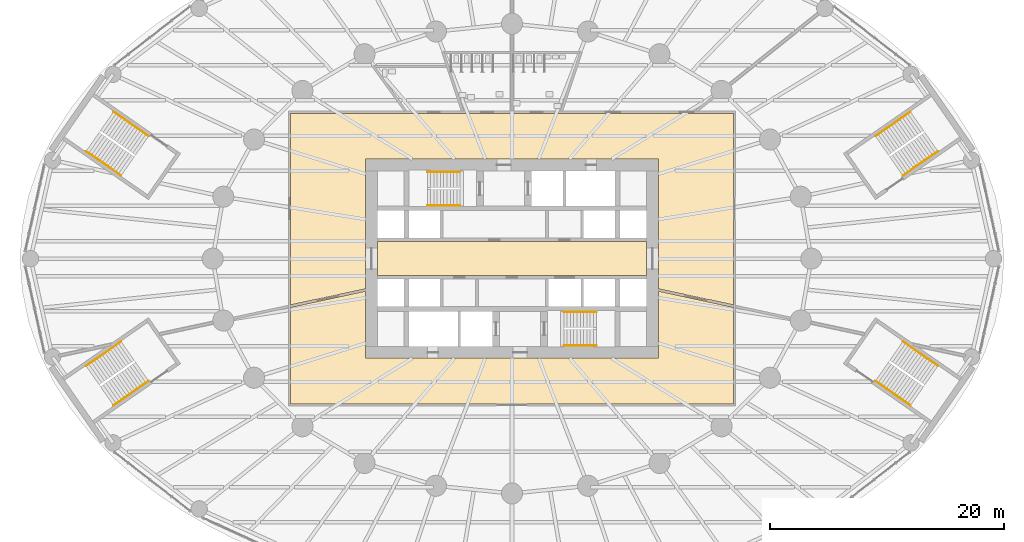
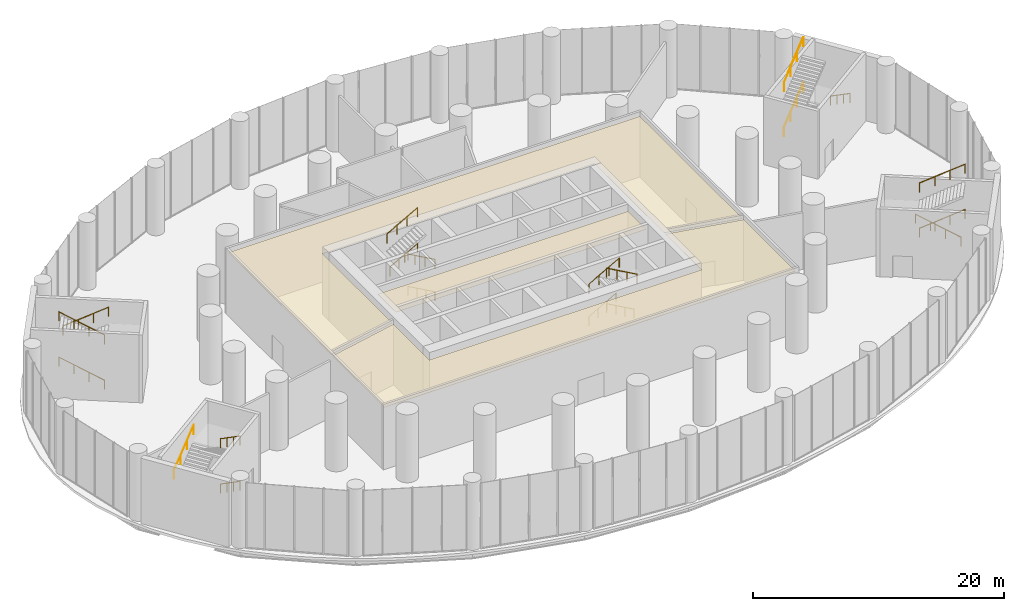
# One storey, part 20 of 22: 20 railings, 3 coverings.
"""IFC4 building model written with IfcOpenShell, lengths in metres."""

from ifc_helpers import new_model, si_unit, direction, frame, origin, origin_2d, place, context, subcontext, project, spatial, polyline, circle, outline, extrude, material, layer, layer_set, type_object, element, save


model = new_model("IFC4")

# Units and contexts
model_context = context("Model", 3, precision=1e-05, world=origin(), true_north=direction((0.0, 1.0)))
body_context = subcontext(model_context, "Body", "Model", "MODEL_VIEW")
ifc_project = project(units=[si_unit("LENGTHUNIT", "METRE"), si_unit("AREAUNIT", "SQUARE_METRE"), si_unit("VOLUMEUNIT", "CUBIC_METRE"), si_unit("PLANEANGLEUNIT", "RADIAN"), si_unit("MASSUNIT", "GRAM", prefix="KILO")], contexts=[model_context])

# Site, building, storey
site_placement = place(None, origin())
site = spatial("IfcSite", under=ifc_project, at=site_placement, CompositionType="ELEMENT")
building_placement = place(site_placement, origin())
building = spatial("IfcBuilding", under=site, at=building_placement, Name="Hankou Lantern Tower", CompositionType="ELEMENT")
storey_placement = place(building_placement, frame((0.0, 0.0, 7.199951171875)))
storey = spatial("IfcBuildingStorey", under=building, at=storey_placement, Name="L01", CompositionType="ELEMENT", Elevation=7.199951171875)

# Coverings
ifc_material_1 = material(Name="Black painted aluminium linear ceiling panels", Category="aluminium")
ifc_layer_1 = layer(ifc_material_1, 0.02490234375)
ifc_layer_set_1 = layer_set([ifc_layer_1], Name="Black painted aluminium linear ceiling panels")
covering_type_1 = type_object("IfcCoveringType", Name="CL1 CORRIDOR CEILING 25", PredefinedType="CEILING", material=ifc_layer_set_1)
covering_1_placement = place(storey_placement, frame((0.0, 0.0, 5.875)))
element("IfcCovering", 1, at=covering_1_placement, inside=storey, type_object=covering_type_1, Name="Corridor ceiling L01", PredefinedType="CEILING", context=body_context, shape_type="SweptSolid", body=[
    extrude(outline(polyline([(-18.89990234375, 12.39990234375), (-18.89990234375, -3.94921875), (-12.5, -2.5771484375), (-12.5, 8.5), (12.5, 8.5), (12.5, -2.5771484375), (18.89990234375, -3.94921875), (18.89990234375, 12.39990234375), (-18.89990234375, 12.39990234375)])), origin(), (0.0, 0.0, 1.0), 0.025146484375),
])
covering_2_placement = place(storey_placement, frame((0.0, 0.0, 5.875)))
element("IfcCovering", 2, at=covering_2_placement, inside=storey, type_object=covering_type_1, Name="Corridor ceiling L01", PredefinedType="CEILING", context=body_context, shape_type="SweptSolid", body=[
    extrude(outline(polyline([(18.89990234375, -4.153564453125), (12.5, -2.78173828125), (12.5, -8.5), (-12.5, -8.5), (-12.5, -2.78173828125), (-18.89990234375, -4.153564453125), (-18.89990234375, -12.39990234375), (18.89990234375, -12.39990234375), (18.89990234375, -4.153564453125)])), origin(), (0.0, 0.0, 1.0), 0.025146484375),
])
ifc_material_2 = material(Name="Perforated black aluminium acoustic tray ceiling", Category="aluminium")
ifc_layer_2 = layer(ifc_material_2, 0.014892578125)
ifc_layer_set_2 = layer_set([ifc_layer_2], Name="Perforated black aluminium acoustic tray ceiling")
covering_type_2 = type_object("IfcCoveringType", Name="CL2 LIFT LOBBY CEILING 15", PredefinedType="CEILING", material=ifc_layer_set_2)
covering_3_placement = place(storey_placement, frame((0.0, 0.0, 5.885009765625)))
element("IfcCovering", 3, at=covering_3_placement, inside=storey, type_object=covering_type_2, Name="Lift lobby ceiling L01", PredefinedType="CEILING", context=body_context, shape_type="SweptSolid", body=[
    extrude(outline(polyline([(-11.5, -1.449951171875), (11.5, -1.449951171875), (11.5, 1.449951171875), (-11.5, 1.449951171875), (-11.5, -1.449951171875)])), origin(), (0.0, 0.0, 1.0), 0.01513671875),
])

# Railings
ifc_material_3 = material(Name="Steel handrail", Category="steel")
railing_type = type_object("IfcRailingType", Name="HR1 STAIR HANDRAIL", PredefinedType="HANDRAIL", material=ifc_material_3)
railing_1_placement = place(storey_placement, frame((-4.429931640625, 4.550048828125, 0.900146484375)))
element("IfcRailing", 4, at=railing_1_placement, inside=storey, type_object=railing_type, Name="Handrail stair STA L01 flight 1", PredefinedType="HANDRAIL", context=body_context, shape_type="SweptSolid", body=[
    extrude(circle(Radius=0.02392578125, at=origin_2d()), frame((0.0, 0.0, 0.8759765625), z_axis=(-0.872048945198, 0.0, 0.489418672692), x_axis=(0.0, -1.0, 0.0)), (0.0, 0.0, 1.0), 2.8896484375),
    extrude(circle(Radius=0.02099609375, at=origin_2d()), origin(), (0.0, 0.0, 1.0), 0.851806640625),
    extrude(circle(Radius=0.02099609375, at=origin_2d()), frame((-0.840087890625, 0.0, 0.471435546875)), (0.0, 0.0, 1.0), 0.851806640625),
    extrude(circle(Radius=0.02099609375, at=origin_2d()), frame((-1.679931640625, 0.0, 0.94287109375)), (0.0, 0.0, 1.0), 0.851806640625),
    extrude(circle(Radius=0.02099609375, at=origin_2d()), frame((-2.52001953125, 0.0, 1.414306640625)), (0.0, 0.0, 1.0), 0.851806640625),
])
railing_2_placement = place(storey_placement, frame((-6.949951171875, 7.39990234375, 2.471435546875)))
element("IfcRailing", 5, at=railing_2_placement, inside=storey, type_object=railing_type, Name="Handrail stair STA L01 flight 2", PredefinedType="HANDRAIL", context=body_context, shape_type="SweptSolid", body=[
    extrude(circle(Radius=0.02392578125, at=origin_2d()), frame((0.0, 0.0, 0.8759765625), z_axis=(0.872048945198, 0.0, 0.489418672692), x_axis=(0.0, 1.0, 0.0)), (0.0, 0.0, 1.0), 2.8896484375),
    extrude(circle(Radius=0.02099609375, at=origin_2d()), origin(), (0.0, 0.0, 1.0), 0.851806640625),
    extrude(circle(Radius=0.02099609375, at=origin_2d()), frame((0.840087890625, 0.0, 0.471435546875)), (0.0, 0.0, 1.0), 0.851806640625),
    extrude(circle(Radius=0.02099609375, at=origin_2d()), frame((1.679931640625, 0.0, 0.94287109375)), (0.0, 0.0, 1.0), 0.851806640625),
    extrude(circle(Radius=0.02099609375, at=origin_2d()), frame((2.52001953125, 0.0, 1.414306640625)), (0.0, 0.0, 1.0), 0.851806640625),
])
railing_3_placement = place(storey_placement, frame((-4.429931640625, 4.550048828125, 4.04296875)))
element("IfcRailing", 6, at=railing_3_placement, inside=storey, type_object=railing_type, Name="Handrail stair STA L01 flight 3", PredefinedType="HANDRAIL", context=body_context, shape_type="SweptSolid", body=[
    extrude(circle(Radius=0.02392578125, at=origin_2d()), frame((0.0, 0.0, 0.8759765625), z_axis=(-0.872072602893, 0.0, 0.489376516891), x_axis=(0.0, -1.0, 0.0)), (0.0, 0.0, 1.0), 3.210693359375),
    extrude(circle(Radius=0.02099609375, at=origin_2d()), origin(), (0.0, 0.0, 1.0), 0.851806640625),
    extrude(circle(Radius=0.02099609375, at=origin_2d()), frame((-0.933349609375, 0.0, 0.523681640625)), (0.0, 0.0, 1.0), 0.851806640625),
    extrude(circle(Radius=0.02099609375, at=origin_2d()), frame((-1.86669921875, 0.0, 1.047607421875)), (0.0, 0.0, 1.0), 0.851806640625),
    extrude(circle(Radius=0.02099609375, at=origin_2d()), frame((-2.800048828125, 0.0, 1.5712890625)), (0.0, 0.0, 1.0), 0.851806640625),
])
railing_4_placement = place(storey_placement, frame((-7.22998046875, 7.39990234375, 5.771484375)))
element("IfcRailing", 7, at=railing_4_placement, inside=storey, type_object=railing_type, Name="Handrail stair STA L01 flight 4", PredefinedType="HANDRAIL", context=body_context, shape_type="SweptSolid", body=[
    extrude(circle(Radius=0.02392578125, at=origin_2d()), frame((0.0, 0.0, 0.8759765625), z_axis=(0.872040151574, 0.0, 0.489434340891), x_axis=(0.0, 1.0, 0.0)), (0.0, 0.0, 1.0), 3.2109375),
    extrude(circle(Radius=0.02099609375, at=origin_2d()), origin(), (0.0, 0.0, 1.0), 0.851806640625),
    extrude(circle(Radius=0.02099609375, at=origin_2d()), frame((0.933349609375, 0.0, 0.52392578125)), (0.0, 0.0, 1.0), 0.851806640625),
    extrude(circle(Radius=0.02099609375, at=origin_2d()), frame((1.86669921875, 0.0, 1.047607421875)), (0.0, 0.0, 1.0), 0.851806640625),
    extrude(circle(Radius=0.02099609375, at=origin_2d()), frame((2.800048828125, 0.0, 1.571533203125)), (0.0, 0.0, 1.0), 0.851806640625),
])
railing_5_placement = place(storey_placement, frame((4.429931640625, -4.550048828125, 0.900146484375)))
element("IfcRailing", 8, at=railing_5_placement, inside=storey, type_object=railing_type, Name="Handrail stair STB L01 flight 1", PredefinedType="HANDRAIL", context=body_context, shape_type="SweptSolid", body=[
    extrude(circle(Radius=0.02392578125, at=origin_2d()), frame((0.0, 0.0, 0.8759765625), z_axis=(0.872048945198, 0.0, 0.489418672692), x_axis=(0.0, 1.0, 0.0)), (0.0, 0.0, 1.0), 2.8896484375),
    extrude(circle(Radius=0.02099609375, at=origin_2d()), origin(), (0.0, 0.0, 1.0), 0.851806640625),
    extrude(circle(Radius=0.02099609375, at=origin_2d()), frame((0.840087890625, 0.0, 0.471435546875)), (0.0, 0.0, 1.0), 0.851806640625),
    extrude(circle(Radius=0.02099609375, at=origin_2d()), frame((1.679931640625, 0.0, 0.94287109375)), (0.0, 0.0, 1.0), 0.851806640625),
    extrude(circle(Radius=0.02099609375, at=origin_2d()), frame((2.52001953125, 0.0, 1.414306640625)), (0.0, 0.0, 1.0), 0.851806640625),
])
railing_6_placement = place(storey_placement, frame((6.949951171875, -7.39990234375, 2.471435546875)))
element("IfcRailing", 9, at=railing_6_placement, inside=storey, type_object=railing_type, Name="Handrail stair STB L01 flight 2", PredefinedType="HANDRAIL", context=body_context, shape_type="SweptSolid", body=[
    extrude(circle(Radius=0.02392578125, at=origin_2d()), frame((0.0, 0.0, 0.8759765625), z_axis=(-0.872048945198, 0.0, 0.489418672692), x_axis=(0.0, -1.0, 0.0)), (0.0, 0.0, 1.0), 2.8896484375),
    extrude(circle(Radius=0.02099609375, at=origin_2d()), origin(), (0.0, 0.0, 1.0), 0.851806640625),
    extrude(circle(Radius=0.02099609375, at=origin_2d()), frame((-0.840087890625, 0.0, 0.471435546875)), (0.0, 0.0, 1.0), 0.851806640625),
    extrude(circle(Radius=0.02099609375, at=origin_2d()), frame((-1.679931640625, 0.0, 0.94287109375)), (0.0, 0.0, 1.0), 0.851806640625),
    extrude(circle(Radius=0.02099609375, at=origin_2d()), frame((-2.52001953125, 0.0, 1.414306640625)), (0.0, 0.0, 1.0), 0.851806640625),
])
railing_7_placement = place(storey_placement, frame((4.429931640625, -4.550048828125, 4.04296875)))
element("IfcRailing", 10, at=railing_7_placement, inside=storey, type_object=railing_type, Name="Handrail stair STB L01 flight 3", PredefinedType="HANDRAIL", context=body_context, shape_type="SweptSolid", body=[
    extrude(circle(Radius=0.02392578125, at=origin_2d()), frame((0.0, 0.0, 0.8759765625), z_axis=(0.872072602893, 0.0, 0.489376516891), x_axis=(0.0, 1.0, 0.0)), (0.0, 0.0, 1.0), 3.210693359375),
    extrude(circle(Radius=0.02099609375, at=origin_2d()), origin(), (0.0, 0.0, 1.0), 0.851806640625),
    extrude(circle(Radius=0.02099609375, at=origin_2d()), frame((0.933349609375, 0.0, 0.523681640625)), (0.0, 0.0, 1.0), 0.851806640625),
    extrude(circle(Radius=0.02099609375, at=origin_2d()), frame((1.86669921875, 0.0, 1.047607421875)), (0.0, 0.0, 1.0), 0.851806640625),
    extrude(circle(Radius=0.02099609375, at=origin_2d()), frame((2.800048828125, 0.0, 1.5712890625)), (0.0, 0.0, 1.0), 0.851806640625),
])
railing_8_placement = place(storey_placement, frame((7.22998046875, -7.39990234375, 5.771484375)))
element("IfcRailing", 11, at=railing_8_placement, inside=storey, type_object=railing_type, Name="Handrail stair STB L01 flight 4", PredefinedType="HANDRAIL", context=body_context, shape_type="SweptSolid", body=[
    extrude(circle(Radius=0.02392578125, at=origin_2d()), frame((0.0, 0.0, 0.8759765625), z_axis=(-0.872040151574, 0.0, 0.489434340891), x_axis=(0.0, -1.0, 0.0)), (0.0, 0.0, 1.0), 3.2109375),
    extrude(circle(Radius=0.02099609375, at=origin_2d()), origin(), (0.0, 0.0, 1.0), 0.851806640625),
    extrude(circle(Radius=0.02099609375, at=origin_2d()), frame((-0.933349609375, 0.0, 0.52392578125)), (0.0, 0.0, 1.0), 0.851806640625),
    extrude(circle(Radius=0.02099609375, at=origin_2d()), frame((-1.86669921875, 0.0, 1.047607421875)), (0.0, 0.0, 1.0), 0.851806640625),
    extrude(circle(Radius=0.02099609375, at=origin_2d()), frame((-2.800048828125, 0.0, 1.571533203125)), (0.0, 0.0, 1.0), 0.851806640625),
])
railing_9_placement = place(storey_placement, frame((31.02490234375, 10.451904296875, 0.900146484375)))
element("IfcRailing", 12, at=railing_9_placement, inside=storey, type_object=railing_type, Name="Handrail stair P1 L01 flight 1", PredefinedType="HANDRAIL", context=body_context, shape_type="SweptSolid", body=[
    extrude(circle(Radius=0.02392578125, at=origin_2d()), frame((0.0, 0.0, 0.8759765625), z_axis=(0.715929708377, 0.497933791455, 0.489394107025), x_axis=(-0.570983913609, 0.820961247806, 0.0)), (0.0, 0.0, 1.0), 4.174072265625),
    extrude(circle(Radius=0.02099609375, at=origin_2d()), origin(), (0.0, 0.0, 1.0), 0.851806640625),
    extrude(circle(Radius=0.02099609375, at=origin_2d()), frame((0.99609375, 0.69287109375, 0.680908203125)), (0.0, 0.0, 1.0), 0.851806640625),
    extrude(circle(Radius=0.02099609375, at=origin_2d()), frame((1.9921875, 1.385498046875, 1.36181640625)), (0.0, 0.0, 1.0), 0.851806640625),
    extrude(circle(Radius=0.02099609375, at=origin_2d()), frame((2.98828125, 2.078369140625, 2.042724609375)), (0.0, 0.0, 1.0), 0.851806640625),
])
railing_10_placement = place(storey_placement, frame((36.354248046875, 9.16455078125, 3.10009765625)))
element("IfcRailing", 13, at=railing_10_placement, inside=storey, type_object=railing_type, Name="Handrail stair P1 L01 flight 2", PredefinedType="HANDRAIL", context=body_context, shape_type="SweptSolid", body=[
    extrude(circle(Radius=0.02392578125, at=origin_2d()), frame((0.0, 0.0, 0.8759765625), z_axis=(-0.715880343041, -0.49799863066, 0.489400345635), x_axis=(0.571060557793, -0.820907935967, 0.0)), (0.0, 0.0, 1.0), 4.173828125),
    extrude(circle(Radius=0.02099609375, at=origin_2d()), origin(), (0.0, 0.0, 1.0), 0.851806640625),
    extrude(circle(Radius=0.02099609375, at=origin_2d()), frame((-0.99609375, -0.69287109375, 0.680908203125)), (0.0, 0.0, 1.0), 0.851806640625),
    extrude(circle(Radius=0.02099609375, at=origin_2d()), frame((-1.991943359375, -1.3857421875, 1.36181640625)), (0.0, 0.0, 1.0), 0.851806640625),
    extrude(circle(Radius=0.02099609375, at=origin_2d()), frame((-2.988037109375, -2.07861328125, 2.042724609375)), (0.0, 0.0, 1.0), 0.851806640625),
])
railing_11_placement = place(storey_placement, frame((31.02490234375, 10.451904296875, 5.300048828125)))
element("IfcRailing", 14, at=railing_11_placement, inside=storey, type_object=railing_type, Name="Handrail stair P1 L01 flight 3", PredefinedType="HANDRAIL", context=body_context, shape_type="SweptSolid", body=[
    extrude(circle(Radius=0.02392578125, at=origin_2d()), frame((0.0, 0.0, 0.8759765625), z_axis=(0.71590921444, 0.497919537788, 0.489438587127), x_axis=(-0.570983913609, 0.820961247806, 0.0)), (0.0, 0.0, 1.0), 4.174072265625),
    extrude(circle(Radius=0.02099609375, at=origin_2d()), origin(), (0.0, 0.0, 1.0), 0.851806640625),
    extrude(circle(Radius=0.02099609375, at=origin_2d()), frame((0.99609375, 0.69287109375, 0.680908203125)), (0.0, 0.0, 1.0), 0.851806640625),
    extrude(circle(Radius=0.02099609375, at=origin_2d()), frame((1.9921875, 1.385498046875, 1.362060546875)), (0.0, 0.0, 1.0), 0.851806640625),
    extrude(circle(Radius=0.02099609375, at=origin_2d()), frame((2.98828125, 2.078369140625, 2.04296875)), (0.0, 0.0, 1.0), 0.851806640625),
])
railing_12_placement = place(storey_placement, frame((-33.3662109375, 7.0859375, 0.900146484375)))
element("IfcRailing", 15, at=railing_12_placement, inside=storey, type_object=railing_type, Name="Handrail stair P2 L01 flight 1", PredefinedType="HANDRAIL", context=body_context, shape_type="SweptSolid", body=[
    extrude(circle(Radius=0.02392578125, at=origin_2d()), frame((0.0, 0.0, 0.8759765625), z_axis=(-0.715880343041, 0.49799863066, 0.489400345635), x_axis=(-0.571060557793, -0.820907935967, 0.0)), (0.0, 0.0, 1.0), 4.173828125),
    extrude(circle(Radius=0.02099609375, at=origin_2d()), origin(), (0.0, 0.0, 1.0), 0.851806640625),
    extrude(circle(Radius=0.02099609375, at=origin_2d()), frame((-0.99609375, 0.69287109375, 0.680908203125)), (0.0, 0.0, 1.0), 0.851806640625),
    extrude(circle(Radius=0.02099609375, at=origin_2d()), frame((-1.991943359375, 1.3857421875, 1.36181640625)), (0.0, 0.0, 1.0), 0.851806640625),
    extrude(circle(Radius=0.02099609375, at=origin_2d()), frame((-2.988037109375, 2.07861328125, 2.042724609375)), (0.0, 0.0, 1.0), 0.851806640625),
])
railing_13_placement = place(storey_placement, frame((-34.01318359375, 12.5302734375, 3.10009765625)))
element("IfcRailing", 16, at=railing_13_placement, inside=storey, type_object=railing_type, Name="Handrail stair P2 L01 flight 2", PredefinedType="HANDRAIL", context=body_context, shape_type="SweptSolid", body=[
    extrude(circle(Radius=0.02392578125, at=origin_2d()), frame((0.0, 0.0, 0.8759765625), z_axis=(0.715929708377, -0.497933791455, 0.489394107025), x_axis=(0.570983913609, 0.820961247806, 0.0)), (0.0, 0.0, 1.0), 4.174072265625),
    extrude(circle(Radius=0.02099609375, at=origin_2d()), origin(), (0.0, 0.0, 1.0), 0.851806640625),
    extrude(circle(Radius=0.02099609375, at=origin_2d()), frame((0.99609375, -0.69287109375, 0.680908203125)), (0.0, 0.0, 1.0), 0.851806640625),
    extrude(circle(Radius=0.02099609375, at=origin_2d()), frame((1.9921875, -1.385498046875, 1.36181640625)), (0.0, 0.0, 1.0), 0.851806640625),
    extrude(circle(Radius=0.02099609375, at=origin_2d()), frame((2.98828125, -2.078369140625, 2.042724609375)), (0.0, 0.0, 1.0), 0.851806640625),
])
railing_14_placement = place(storey_placement, frame((-33.3662109375, 7.0859375, 5.300048828125)))
element("IfcRailing", 17, at=railing_14_placement, inside=storey, type_object=railing_type, Name="Handrail stair P2 L01 flight 3", PredefinedType="HANDRAIL", context=body_context, shape_type="SweptSolid", body=[
    extrude(circle(Radius=0.02392578125, at=origin_2d()), frame((0.0, 0.0, 0.8759765625), z_axis=(-0.715859849995, 0.497984374774, 0.489444825947), x_axis=(-0.571060557793, -0.820907935967, 0.0)), (0.0, 0.0, 1.0), 4.174072265625),
    extrude(circle(Radius=0.02099609375, at=origin_2d()), origin(), (0.0, 0.0, 1.0), 0.851806640625),
    extrude(circle(Radius=0.02099609375, at=origin_2d()), frame((-0.99609375, 0.69287109375, 0.680908203125)), (0.0, 0.0, 1.0), 0.851806640625),
    extrude(circle(Radius=0.02099609375, at=origin_2d()), frame((-1.991943359375, 1.3857421875, 1.362060546875)), (0.0, 0.0, 1.0), 0.851806640625),
    extrude(circle(Radius=0.02099609375, at=origin_2d()), frame((-2.988037109375, 2.07861328125, 2.04296875)), (0.0, 0.0, 1.0), 0.851806640625),
])
railing_15_placement = place(storey_placement, frame((-31.02490234375, -10.451904296875, 0.900146484375)))
element("IfcRailing", 18, at=railing_15_placement, inside=storey, type_object=railing_type, Name="Handrail stair P3 L01 flight 1", PredefinedType="HANDRAIL", context=body_context, shape_type="SweptSolid", body=[
    extrude(circle(Radius=0.02392578125, at=origin_2d()), frame((0.0, 0.0, 0.8759765625), z_axis=(-0.715929708377, -0.497933791455, 0.489394107025), x_axis=(0.570983913609, -0.820961247806, 0.0)), (0.0, 0.0, 1.0), 4.174072265625),
    extrude(circle(Radius=0.02099609375, at=origin_2d()), origin(), (0.0, 0.0, 1.0), 0.851806640625),
    extrude(circle(Radius=0.02099609375, at=origin_2d()), frame((-0.99609375, -0.69287109375, 0.680908203125)), (0.0, 0.0, 1.0), 0.851806640625),
    extrude(circle(Radius=0.02099609375, at=origin_2d()), frame((-1.9921875, -1.385498046875, 1.36181640625)), (0.0, 0.0, 1.0), 0.851806640625),
    extrude(circle(Radius=0.02099609375, at=origin_2d()), frame((-2.98828125, -2.078369140625, 2.042724609375)), (0.0, 0.0, 1.0), 0.851806640625),
])
railing_16_placement = place(storey_placement, frame((-36.354248046875, -9.16455078125, 3.10009765625)))
element("IfcRailing", 19, at=railing_16_placement, inside=storey, type_object=railing_type, Name="Handrail stair P3 L01 flight 2", PredefinedType="HANDRAIL", context=body_context, shape_type="SweptSolid", body=[
    extrude(circle(Radius=0.02392578125, at=origin_2d()), frame((0.0, 0.0, 0.8759765625), z_axis=(0.715880343041, 0.49799863066, 0.489400345635), x_axis=(-0.571060557793, 0.820907935967, 0.0)), (0.0, 0.0, 1.0), 4.173828125),
    extrude(circle(Radius=0.02099609375, at=origin_2d()), origin(), (0.0, 0.0, 1.0), 0.851806640625),
    extrude(circle(Radius=0.02099609375, at=origin_2d()), frame((0.99609375, 0.69287109375, 0.680908203125)), (0.0, 0.0, 1.0), 0.851806640625),
    extrude(circle(Radius=0.02099609375, at=origin_2d()), frame((1.991943359375, 1.3857421875, 1.36181640625)), (0.0, 0.0, 1.0), 0.851806640625),
    extrude(circle(Radius=0.02099609375, at=origin_2d()), frame((2.988037109375, 2.07861328125, 2.042724609375)), (0.0, 0.0, 1.0), 0.851806640625),
])
railing_17_placement = place(storey_placement, frame((-31.02490234375, -10.451904296875, 5.300048828125)))
element("IfcRailing", 20, at=railing_17_placement, inside=storey, type_object=railing_type, Name="Handrail stair P3 L01 flight 3", PredefinedType="HANDRAIL", context=body_context, shape_type="SweptSolid", body=[
    extrude(circle(Radius=0.02392578125, at=origin_2d()), frame((0.0, 0.0, 0.8759765625), z_axis=(-0.71590921444, -0.497919537788, 0.489438587127), x_axis=(0.570983913609, -0.820961247806, 0.0)), (0.0, 0.0, 1.0), 4.174072265625),
    extrude(circle(Radius=0.02099609375, at=origin_2d()), origin(), (0.0, 0.0, 1.0), 0.851806640625),
    extrude(circle(Radius=0.02099609375, at=origin_2d()), frame((-0.99609375, -0.69287109375, 0.680908203125)), (0.0, 0.0, 1.0), 0.851806640625),
    extrude(circle(Radius=0.02099609375, at=origin_2d()), frame((-1.9921875, -1.385498046875, 1.362060546875)), (0.0, 0.0, 1.0), 0.851806640625),
    extrude(circle(Radius=0.02099609375, at=origin_2d()), frame((-2.98828125, -2.078369140625, 2.04296875)), (0.0, 0.0, 1.0), 0.851806640625),
])
railing_18_placement = place(storey_placement, frame((33.3662109375, -7.0859375, 0.900146484375)))
element("IfcRailing", 21, at=railing_18_placement, inside=storey, type_object=railing_type, Name="Handrail stair P4 L01 flight 1", PredefinedType="HANDRAIL", context=body_context, shape_type="SweptSolid", body=[
    extrude(circle(Radius=0.02392578125, at=origin_2d()), frame((0.0, 0.0, 0.8759765625), z_axis=(0.715880343041, -0.49799863066, 0.489400345635), x_axis=(0.571060557793, 0.820907935967, 0.0)), (0.0, 0.0, 1.0), 4.173828125),
    extrude(circle(Radius=0.02099609375, at=origin_2d()), origin(), (0.0, 0.0, 1.0), 0.851806640625),
    extrude(circle(Radius=0.02099609375, at=origin_2d()), frame((0.99609375, -0.69287109375, 0.680908203125)), (0.0, 0.0, 1.0), 0.851806640625),
    extrude(circle(Radius=0.02099609375, at=origin_2d()), frame((1.991943359375, -1.3857421875, 1.36181640625)), (0.0, 0.0, 1.0), 0.851806640625),
    extrude(circle(Radius=0.02099609375, at=origin_2d()), frame((2.988037109375, -2.07861328125, 2.042724609375)), (0.0, 0.0, 1.0), 0.851806640625),
])
railing_19_placement = place(storey_placement, frame((34.01318359375, -12.5302734375, 3.10009765625)))
element("IfcRailing", 22, at=railing_19_placement, inside=storey, type_object=railing_type, Name="Handrail stair P4 L01 flight 2", PredefinedType="HANDRAIL", context=body_context, shape_type="SweptSolid", body=[
    extrude(circle(Radius=0.02392578125, at=origin_2d()), frame((0.0, 0.0, 0.8759765625), z_axis=(-0.715929708377, 0.497933791455, 0.489394107025), x_axis=(-0.570983913609, -0.820961247806, 0.0)), (0.0, 0.0, 1.0), 4.174072265625),
    extrude(circle(Radius=0.02099609375, at=origin_2d()), origin(), (0.0, 0.0, 1.0), 0.851806640625),
    extrude(circle(Radius=0.02099609375, at=origin_2d()), frame((-0.99609375, 0.69287109375, 0.680908203125)), (0.0, 0.0, 1.0), 0.851806640625),
    extrude(circle(Radius=0.02099609375, at=origin_2d()), frame((-1.9921875, 1.385498046875, 1.36181640625)), (0.0, 0.0, 1.0), 0.851806640625),
    extrude(circle(Radius=0.02099609375, at=origin_2d()), frame((-2.98828125, 2.078369140625, 2.042724609375)), (0.0, 0.0, 1.0), 0.851806640625),
])
railing_20_placement = place(storey_placement, frame((33.3662109375, -7.0859375, 5.300048828125)))
element("IfcRailing", 23, at=railing_20_placement, inside=storey, type_object=railing_type, Name="Handrail stair P4 L01 flight 3", PredefinedType="HANDRAIL", context=body_context, shape_type="SweptSolid", body=[
    extrude(circle(Radius=0.02392578125, at=origin_2d()), frame((0.0, 0.0, 0.8759765625), z_axis=(0.715859849995, -0.497984374774, 0.489444825947), x_axis=(0.571060557793, 0.820907935967, 0.0)), (0.0, 0.0, 1.0), 4.174072265625),
    extrude(circle(Radius=0.02099609375, at=origin_2d()), origin(), (0.0, 0.0, 1.0), 0.851806640625),
    extrude(circle(Radius=0.02099609375, at=origin_2d()), frame((0.99609375, -0.69287109375, 0.680908203125)), (0.0, 0.0, 1.0), 0.851806640625),
    extrude(circle(Radius=0.02099609375, at=origin_2d()), frame((1.991943359375, -1.3857421875, 1.362060546875)), (0.0, 0.0, 1.0), 0.851806640625),
    extrude(circle(Radius=0.02099609375, at=origin_2d()), frame((2.988037109375, -2.07861328125, 2.04296875)), (0.0, 0.0, 1.0), 0.851806640625),
])

save(model, "model.ifc")
